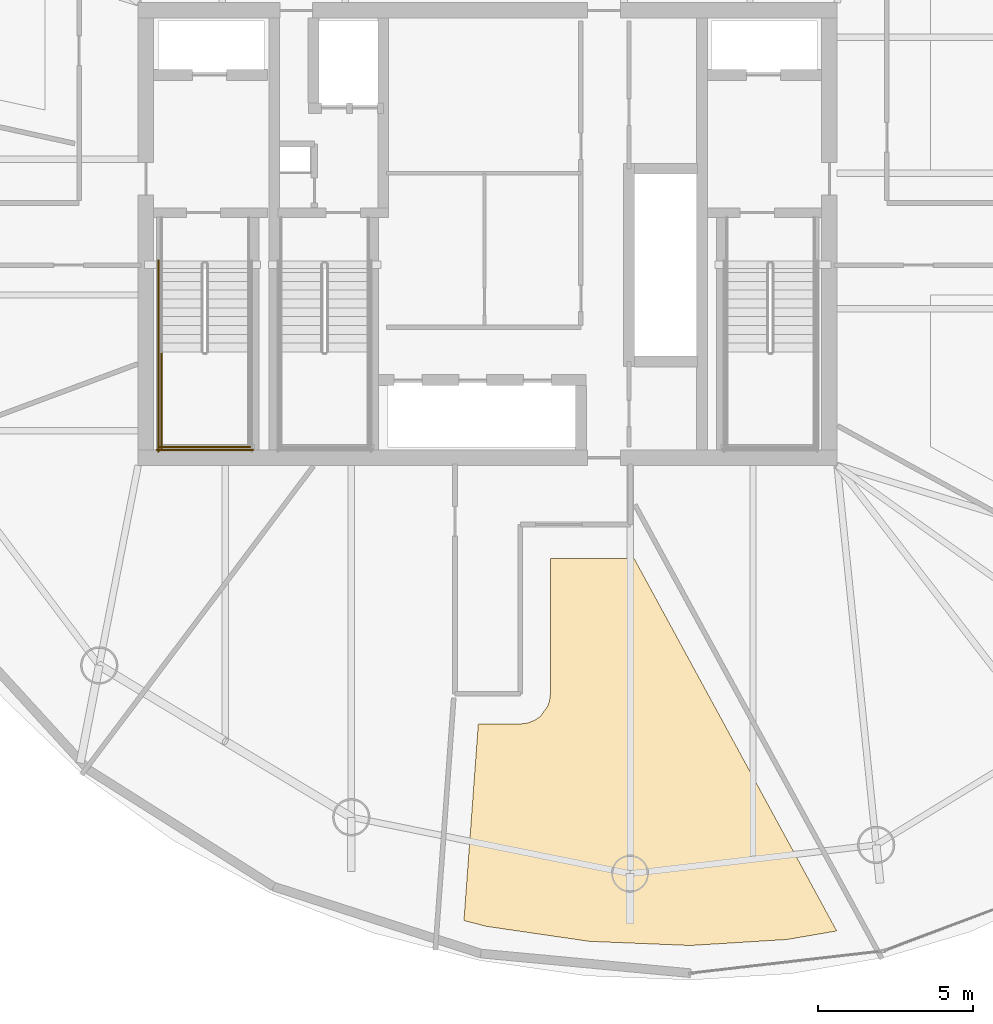
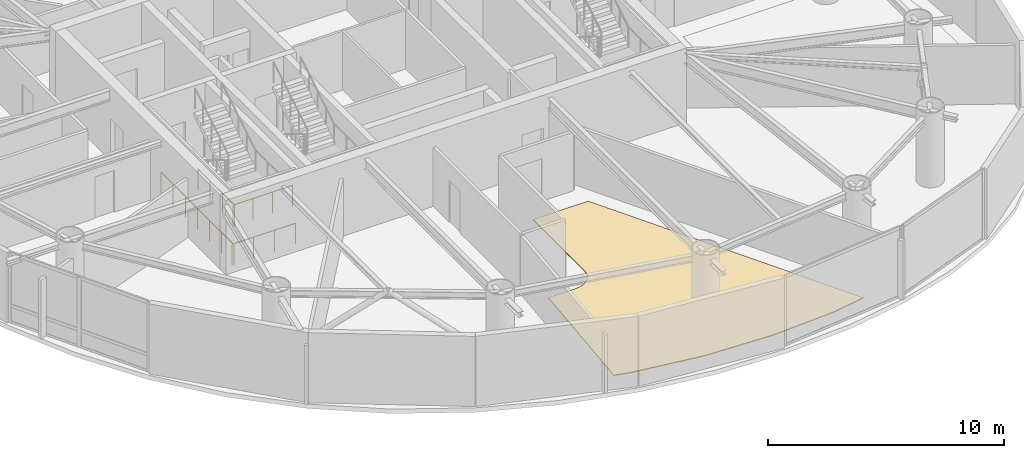
# One storey, part 20 of 22: 4 railings, 1 covering.
"""IFC4 building model written with IfcOpenShell, lengths in metres."""

from ifc_helpers import new_model, si_unit, direction, frame, origin, origin_2d, place, context, subcontext, project, spatial, polyline, circle, outline, extrude, material, layer, layer_set, type_object, element, save


model = new_model("IFC4")

# Units and contexts
model_context = context("Model", 3, precision=1e-05, world=origin(), true_north=direction((0.0, 1.0)))
body_context = subcontext(model_context, "Body", "Model", "MODEL_VIEW")
ifc_project = project(units=[si_unit("LENGTHUNIT", "METRE"), si_unit("AREAUNIT", "SQUARE_METRE"), si_unit("VOLUMEUNIT", "CUBIC_METRE"), si_unit("PLANEANGLEUNIT", "RADIAN"), si_unit("MASSUNIT", "GRAM", prefix="KILO")], contexts=[model_context])

# Site, building, storey
site_placement = place(None, origin())
site = spatial("IfcSite", under=ifc_project, at=site_placement, CompositionType="ELEMENT")
building_placement = place(site_placement, origin())
building = spatial("IfcBuilding", under=site, at=building_placement, Name="Bramvorn Convention Spire", CompositionType="ELEMENT")
storey_placement = place(building_placement, frame((0.0, 0.0, 190.449951171875)))
storey = spatial("IfcBuildingStorey", under=building, at=storey_placement, Name="L48", CompositionType="ELEMENT", Elevation=190.449951171875)

# Covering
ifc_material_1 = material(Name="Calcium-Sulphate Raised Access Office Floor", Category="steel")
ifc_layer = layer(ifc_material_1, 0.044921875)
ifc_layer_set = layer_set([ifc_layer], Name="Calcium-Sulphate Raised Access Office Floor - FLR-RAISED-45")
covering_type = type_object("IfcCoveringType", Name="FLR-RAISED-45", PredefinedType="FLOORING", material=ifc_layer_set)
covering_placement = place(storey_placement, origin())
element("IfcCovering", 1, at=covering_placement, inside=storey, type_object=covering_type, Name="L48 Staff Dining Nook 9 raised floor finish", PredefinedType="FLOORING", context=body_context, shape_type="SweptSolid", body=[
    extrude(outline(polyline([(37.23681640625, 3.903564453125), (37.960693359375, 3.7158203125), (41.275390625, 3.232666015625), (44.52685546875, 3.099609375), (47.631591796875, 3.292236328125), (49.235107421875, 3.56787109375), (42.717041015625, 15.550048828125), (40.02001953125, 15.550048828125), (40.02001953125, 11.199951171875), (39.9921875, 10.97021484375), (39.92919921875, 10.790771484375), (39.697021484375, 10.477294921875), (39.543701171875, 10.364990234375), (39.29150390625, 10.260498046875), (39.050048828125, 10.22998046875), (37.69921875, 10.22998046875), (37.23681640625, 3.903564453125)])), origin(), (0.0, 0.0, 1.0), 0.045166015625),
])

# Railings
ifc_material_2 = material(Name="Painted Steel Balustrade & Guardrail", Category="steel")
railing_type = type_object("IfcRailingType", Name="RL-STAIR-GUARD-1100", PredefinedType="GUARDRAIL", material=ifc_material_2)
railing_1_placement = place(storey_placement, frame((27.5, 22.199951171875, 1.925048828125)))
element("IfcRailing", 2, at=railing_1_placement, inside=storey, type_object=railing_type, Name="L48 ST1 stair guard 3", PredefinedType="GUARDRAIL", context=body_context, shape_type="SweptSolid", body=[
    extrude(circle(Radius=0.02392578125, at=origin_2d()), frame((0.0, 0.0, 1.076171875), z_axis=(0.0, -1.0, 0.0), x_axis=(1.0, 0.0, 0.0)), (0.0, 0.0, 1.0), 3.099853515625),
    extrude(circle(Radius=0.02099609375, at=origin_2d()), origin(), (0.0, 0.0, 1.0), 1.052001953125),
    extrude(circle(Radius=0.02099609375, at=origin_2d()), frame((0.0, -1.033203125, 0.0)), (0.0, 0.0, 1.0), 1.052001953125),
    extrude(circle(Radius=0.02099609375, at=origin_2d()), frame((0.0, -2.066650390625, 0.0)), (0.0, 0.0, 1.0), 1.052001953125),
    extrude(circle(Radius=0.02099609375, at=origin_2d()), frame((0.0, -3.099853515625, 0.0)), (0.0, 0.0, 1.0), 1.052001953125),
])
railing_2_placement = place(storey_placement, frame((27.449951171875, 19.14990234375, 1.925048828125)))
element("IfcRailing", 3, at=railing_2_placement, inside=storey, type_object=railing_type, Name="L48 ST1 stair guard 5", PredefinedType="GUARDRAIL", context=body_context, shape_type="SweptSolid", body=[
    extrude(circle(Radius=0.02392578125, at=origin_2d()), frame((0.0, 0.0, 1.076171875), z_axis=(1.0, 0.0, 0.0), x_axis=(0.0, 1.0, 0.0)), (0.0, 0.0, 1.0), 2.900146484375),
    extrude(circle(Radius=0.02099609375, at=origin_2d()), origin(), (0.0, 0.0, 1.0), 1.052001953125),
    extrude(circle(Radius=0.02099609375, at=origin_2d()), frame((0.966796875, 0.0, 0.0)), (0.0, 0.0, 1.0), 1.052001953125),
    extrude(circle(Radius=0.02099609375, at=origin_2d()), frame((1.933349609375, 0.0, 0.0)), (0.0, 0.0, 1.0), 1.052001953125),
    extrude(circle(Radius=0.02099609375, at=origin_2d()), frame((2.900146484375, 0.0, 0.0)), (0.0, 0.0, 1.0), 1.052001953125),
])
railing_3_placement = place(storey_placement, frame((27.39990234375, 25.14990234375, 0.0)))
element("IfcRailing", 4, at=railing_3_placement, inside=storey, type_object=railing_type, Name="L48 ST1 stair guard 10", PredefinedType="GUARDRAIL", context=body_context, shape_type="SweptSolid", body=[
    extrude(circle(Radius=0.02392578125, at=origin_2d()), frame((0.0, 0.0, 1.076171875), z_axis=(0.0, -1.0, 0.0), x_axis=(1.0, 0.0, 0.0)), (0.0, 0.0, 1.0), 6.14990234375),
    extrude(circle(Radius=0.02099609375, at=origin_2d()), origin(), (0.0, 0.0, 1.0), 1.052001953125),
    extrude(circle(Radius=0.02099609375, at=origin_2d()), frame((0.0, -1.02490234375, 0.0)), (0.0, 0.0, 1.0), 1.052001953125),
    extrude(circle(Radius=0.02099609375, at=origin_2d()), frame((0.0, -2.050048828125, 0.0)), (0.0, 0.0, 1.0), 1.052001953125),
    extrude(circle(Radius=0.02099609375, at=origin_2d()), frame((0.0, -3.074951171875, 0.0)), (0.0, 0.0, 1.0), 1.052001953125),
    extrude(circle(Radius=0.02099609375, at=origin_2d()), frame((0.0, -4.099853515625, 0.0)), (0.0, 0.0, 1.0), 1.052001953125),
    extrude(circle(Radius=0.02099609375, at=origin_2d()), frame((0.0, -5.125, 0.0)), (0.0, 0.0, 1.0), 1.052001953125),
    extrude(circle(Radius=0.02099609375, at=origin_2d()), frame((0.0, -6.14990234375, 0.0)), (0.0, 0.0, 1.0), 1.052001953125),
])
railing_4_placement = place(storey_placement, frame((27.35009765625, 19.050048828125, 0.0)))
element("IfcRailing", 5, at=railing_4_placement, inside=storey, type_object=railing_type, Name="L48 ST1 stair guard 12", PredefinedType="GUARDRAIL", context=body_context, shape_type="SweptSolid", body=[
    extrude(circle(Radius=0.02392578125, at=origin_2d()), frame((0.0, 0.0, 1.076171875), z_axis=(1.0, 0.0, 0.0), x_axis=(0.0, 1.0, 0.0)), (0.0, 0.0, 1.0), 3.099853515625),
    extrude(circle(Radius=0.02099609375, at=origin_2d()), origin(), (0.0, 0.0, 1.0), 1.052001953125),
    extrude(circle(Radius=0.02099609375, at=origin_2d()), frame((1.033203125, 0.0, 0.0)), (0.0, 0.0, 1.0), 1.052001953125),
    extrude(circle(Radius=0.02099609375, at=origin_2d()), frame((2.066650390625, 0.0, 0.0)), (0.0, 0.0, 1.0), 1.052001953125),
    extrude(circle(Radius=0.02099609375, at=origin_2d()), frame((3.099853515625, 0.0, 0.0)), (0.0, 0.0, 1.0), 1.052001953125),
])

save(model, "model.ifc")
